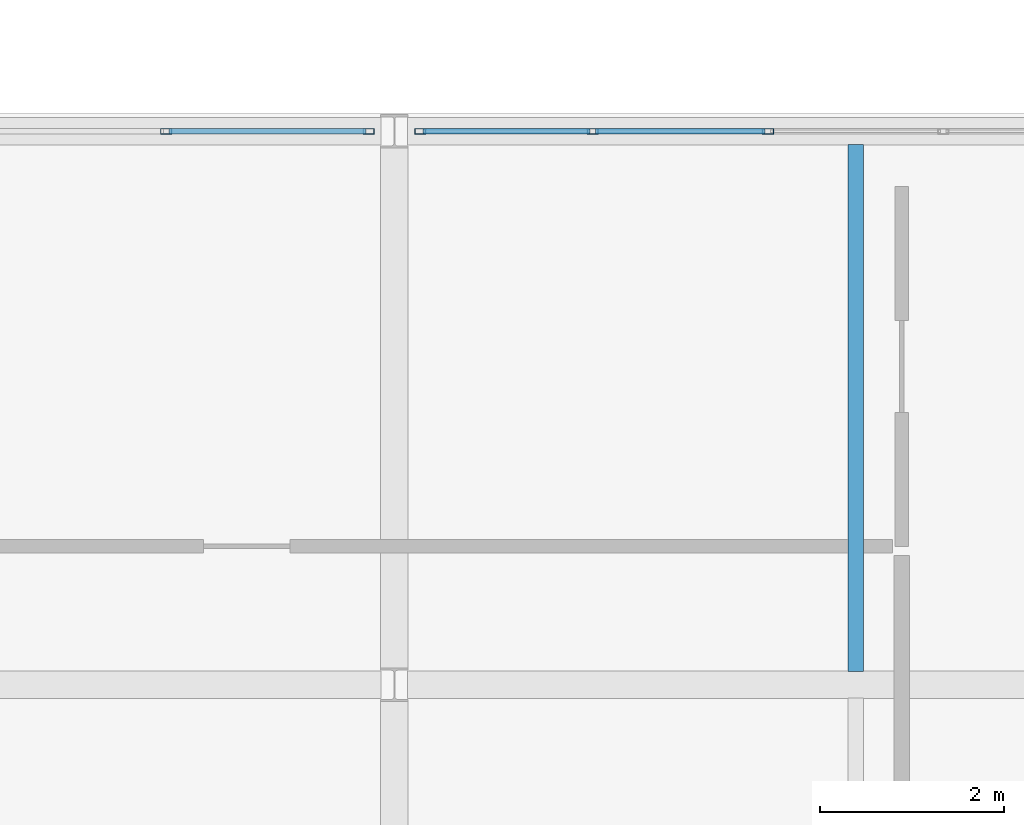
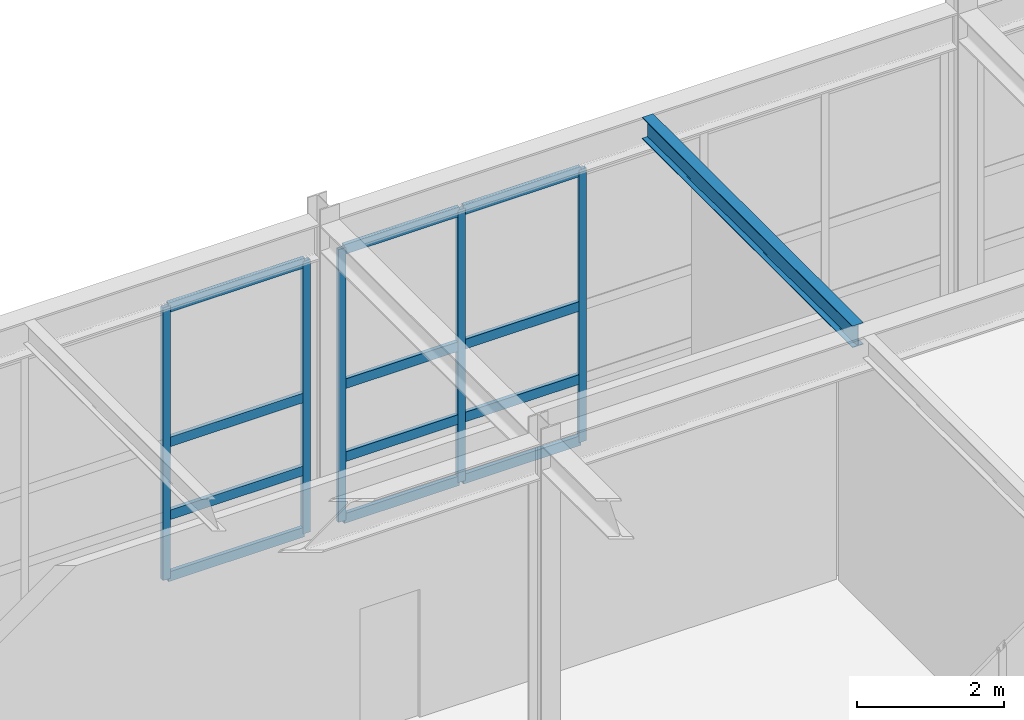
# One storey, part 128 of 210: 17 members, 1 beam, 2 elements without a shape of their own.
"""IFC4 building model written with IfcOpenShell, lengths in metres."""

from ifc_helpers import new_model, si_unit, direction, frame, origin, origin_2d, place, context, subcontext, project, spatial, hollow_rectangle, i_section, extrude, material, material_profile, profile_set, type_object, element, aggregate, save


model = new_model("IFC4")

# Units and contexts
model_context = context("Model", 3, precision=1e-05, world=origin(), true_north=direction((0.0, 1.0)))
body_context = subcontext(model_context, "Body", "Model", "MODEL_VIEW")
ifc_project = project(units=[si_unit("LENGTHUNIT", "METRE"), si_unit("AREAUNIT", "SQUARE_METRE"), si_unit("VOLUMEUNIT", "CUBIC_METRE"), si_unit("PLANEANGLEUNIT", "RADIAN"), si_unit("MASSUNIT", "GRAM", prefix="KILO")], contexts=[model_context])

# Site, building, storey
site_placement = place(None, origin())
site = spatial("IfcSite", under=ifc_project, at=site_placement, CompositionType="ELEMENT")
building_placement = place(site_placement, origin())
building = spatial("IfcBuilding", under=site, at=building_placement, Name="Kaldris Quays Convention Centre", CompositionType="ELEMENT")
storey_placement = place(building_placement, frame((0.0, 0.0, 6.0)))
storey = spatial("IfcBuildingStorey", under=building, at=storey_placement, Name="L01", CompositionType="ELEMENT", Elevation=6.0)

# Curtain wall, members
ifc_material_1 = material(Name="Anodized aluminium AW-6060 and triple glazing", Category="aluminium")
curtain_wall_type = type_object("IfcCurtainWallType", Name="UNITISED CURTAIN WALL CW06", PredefinedType="NOTDEFINED", material=ifc_material_1)
curtain_wall_1_placement = place(storey_placement, origin())
curtain_wall_1 = element("IfcCurtainWall", 1, at=curtain_wall_1_placement, inside=storey, type_object=curtain_wall_type, Name="L01 Unitised Curtain Wall CW06 159", PredefinedType="NOTDEFINED")
ifc_material_2 = material(Name="Anodized aluminium AW-6060", Category="aluminium")
ifc_material_profile_1 = material_profile(ifc_material_2, hollow_rectangle(XDim=0.06005859375, YDim=0.1201171875, WallThickness=0.00390625, at=origin_2d()), Name="RHS 120x60x4")
ifc_profile_set_1 = profile_set([ifc_material_profile_1], Name="Anodized aluminium AW-6060")
member_type_1 = type_object("IfcMemberType", Name="CURTAIN MULLION CWM3", PredefinedType="MULLION", material=ifc_profile_set_1)
member_1_placement = place(storey_placement, frame((171.52490234375, 116.0, 0.0), z_axis=(0.0, 0.0, 1.0), x_axis=(0.0, 1.0, 0.0)))
member_1 = element("IfcMember", 2, at=member_1_placement, type_object=member_type_1, Name="CW06 mullion 4", PredefinedType="MULLION", context=body_context, shape_type="SweptSolid", body=[
    extrude(hollow_rectangle(XDim=0.06005859375, YDim=0.1201171875, WallThickness=0.00390625, at=origin_2d()), origin(), (0.0, 0.0, 1.0), 4.51806640625),
])
member_2_placement = place(storey_placement, frame((173.719970703125, 116.0, 0.0), z_axis=(0.0, 0.0, 1.0), x_axis=(0.0, 1.0, 0.0)))
member_2 = element("IfcMember", 3, at=member_2_placement, type_object=member_type_1, Name="CW06 mullion 5", PredefinedType="MULLION", context=body_context, shape_type="SweptSolid", body=[
    extrude(hollow_rectangle(XDim=0.06005859375, YDim=0.1201171875, WallThickness=0.00390625, at=origin_2d()), origin(), (0.0, 0.0, 1.0), 4.51806640625),
])

curtain_wall_2_placement = place(storey_placement, origin())
curtain_wall_2 = element("IfcCurtainWall", 4, at=curtain_wall_2_placement, inside=storey, type_object=curtain_wall_type, Name="L01 Unitised Curtain Wall CW06 161", PredefinedType="NOTDEFINED")
member_3_placement = place(storey_placement, frame((174.280029296875, 116.0, 0.0), z_axis=(0.0, 0.0, 1.0), x_axis=(0.0, 1.0, 0.0)))
member_3 = element("IfcMember", 5, at=member_3_placement, type_object=member_type_1, Name="CW06 mullion 1", PredefinedType="MULLION", context=body_context, shape_type="SweptSolid", body=[
    extrude(hollow_rectangle(XDim=0.06005859375, YDim=0.1201171875, WallThickness=0.00390625, at=origin_2d()), origin(), (0.0, 0.0, 1.0), 4.51806640625),
])
member_4_placement = place(storey_placement, frame((176.14990234375, 116.0, 0.0), z_axis=(0.0, 0.0, 1.0), x_axis=(0.0, 1.0, 0.0)))
member_4 = element("IfcMember", 6, at=member_4_placement, type_object=member_type_1, Name="CW06 mullion 2", PredefinedType="MULLION", context=body_context, shape_type="SweptSolid", body=[
    extrude(hollow_rectangle(XDim=0.06005859375, YDim=0.1201171875, WallThickness=0.00390625, at=origin_2d()), origin(), (0.0, 0.0, 1.0), 4.51806640625),
])
member_5_placement = place(storey_placement, frame((178.050048828125, 116.0, 0.0), z_axis=(0.0, 0.0, 1.0), x_axis=(0.0, 1.0, 0.0)))
member_5 = element("IfcMember", 7, at=member_5_placement, type_object=member_type_1, Name="CW06 mullion 3", PredefinedType="MULLION", context=body_context, shape_type="SweptSolid", body=[
    extrude(hollow_rectangle(XDim=0.06005859375, YDim=0.1201171875, WallThickness=0.00390625, at=origin_2d()), origin(), (0.0, 0.0, 1.0), 4.51806640625),
])

# Member
ifc_material_profile_2 = material_profile(ifc_material_2, hollow_rectangle(XDim=0.06005859375, YDim=0.159912109375, WallThickness=0.00390625, at=origin_2d()), Name="RHS 160x60x4")
ifc_profile_set_2 = profile_set([ifc_material_profile_2], Name="Anodized aluminium AW-6060")
member_type_2 = type_object("IfcMemberType", Name="CURTAIN TRANSOM CWT2", PredefinedType="USERDEFINED", material=ifc_profile_set_2)
member_6_placement = place(storey_placement, frame((171.554931640625, 116.0, 0.030029296875), z_axis=(1.0, 0.0, 0.0), x_axis=(0.0, 1.0, 0.0)))
member_6 = element("IfcMember", 8, at=member_6_placement, type_object=member_type_2, Name="CW06 transom 4.1", ObjectType="TRANSOM", PredefinedType="USERDEFINED", context=body_context, shape_type="SweptSolid", body=[
    extrude(hollow_rectangle(XDim=0.06005859375, YDim=0.159912109375, WallThickness=0.00390625, at=origin_2d()), origin(), (0.0, 0.0, 1.0), 2.135009765625),
])

member_7_placement = place(storey_placement, frame((171.554931640625, 116.0, 1.050048828125), z_axis=(1.0, 0.0, 0.0), x_axis=(0.0, 1.0, 0.0)))
member_7 = element("IfcMember", 9, at=member_7_placement, type_object=member_type_2, Name="CW06 transom 4.2", ObjectType="TRANSOM", PredefinedType="USERDEFINED", context=body_context, shape_type="SweptSolid", body=[
    extrude(hollow_rectangle(XDim=0.06005859375, YDim=0.159912109375, WallThickness=0.00390625, at=origin_2d()), origin(), (0.0, 0.0, 1.0), 2.135009765625),
])

member_8_placement = place(storey_placement, frame((171.554931640625, 116.0, 2.259033203125), z_axis=(1.0, 0.0, 0.0), x_axis=(0.0, 1.0, 0.0)))
member_8 = element("IfcMember", 10, at=member_8_placement, type_object=member_type_2, Name="CW06 transom 4.3", ObjectType="TRANSOM", PredefinedType="USERDEFINED", context=body_context, shape_type="SweptSolid", body=[
    extrude(hollow_rectangle(XDim=0.06005859375, YDim=0.159912109375, WallThickness=0.00390625, at=origin_2d()), origin(), (0.0, 0.0, 1.0), 2.135009765625),
])

member_9_placement = place(storey_placement, frame((171.554931640625, 116.0, 4.488037109375), z_axis=(1.0, 0.0, 0.0), x_axis=(0.0, 1.0, 0.0)))
member_9 = element("IfcMember", 11, at=member_9_placement, type_object=member_type_2, Name="CW06 transom 4.4", ObjectType="TRANSOM", PredefinedType="USERDEFINED", context=body_context, shape_type="SweptSolid", body=[
    extrude(hollow_rectangle(XDim=0.06005859375, YDim=0.159912109375, WallThickness=0.00390625, at=origin_2d()), origin(), (0.0, 0.0, 1.0), 2.135009765625),
])

aggregate(curtain_wall_1, [member_1, member_2, member_6, member_7, member_8, member_9])

member_10_placement = place(storey_placement, frame((174.31005859375, 116.0, 0.030029296875), z_axis=(1.0, 0.0, 0.0), x_axis=(0.0, 1.0, 0.0)))
member_10 = element("IfcMember", 12, at=member_10_placement, type_object=member_type_2, Name="CW06 transom 1.1", ObjectType="TRANSOM", PredefinedType="USERDEFINED", context=body_context, shape_type="SweptSolid", body=[
    extrude(hollow_rectangle(XDim=0.06005859375, YDim=0.159912109375, WallThickness=0.00390625, at=origin_2d()), origin(), (0.0, 0.0, 1.0), 1.81005859375),
])

member_11_placement = place(storey_placement, frame((174.31005859375, 116.0, 1.050048828125), z_axis=(1.0, 0.0, 0.0), x_axis=(0.0, 1.0, 0.0)))
member_11 = element("IfcMember", 13, at=member_11_placement, type_object=member_type_2, Name="CW06 transom 1.2", ObjectType="TRANSOM", PredefinedType="USERDEFINED", context=body_context, shape_type="SweptSolid", body=[
    extrude(hollow_rectangle(XDim=0.06005859375, YDim=0.159912109375, WallThickness=0.00390625, at=origin_2d()), origin(), (0.0, 0.0, 1.0), 1.81005859375),
])

member_12_placement = place(storey_placement, frame((174.31005859375, 116.0, 2.259033203125), z_axis=(1.0, 0.0, 0.0), x_axis=(0.0, 1.0, 0.0)))
member_12 = element("IfcMember", 14, at=member_12_placement, type_object=member_type_2, Name="CW06 transom 1.3", ObjectType="TRANSOM", PredefinedType="USERDEFINED", context=body_context, shape_type="SweptSolid", body=[
    extrude(hollow_rectangle(XDim=0.06005859375, YDim=0.159912109375, WallThickness=0.00390625, at=origin_2d()), origin(), (0.0, 0.0, 1.0), 1.81005859375),
])

member_13_placement = place(storey_placement, frame((174.31005859375, 116.0, 4.488037109375), z_axis=(1.0, 0.0, 0.0), x_axis=(0.0, 1.0, 0.0)))
member_13 = element("IfcMember", 15, at=member_13_placement, type_object=member_type_2, Name="CW06 transom 1.4", ObjectType="TRANSOM", PredefinedType="USERDEFINED", context=body_context, shape_type="SweptSolid", body=[
    extrude(hollow_rectangle(XDim=0.06005859375, YDim=0.159912109375, WallThickness=0.00390625, at=origin_2d()), origin(), (0.0, 0.0, 1.0), 1.81005859375),
])

member_14_placement = place(storey_placement, frame((176.179931640625, 116.0, 0.030029296875), z_axis=(1.0, 0.0, 0.0), x_axis=(0.0, 1.0, 0.0)))
member_14 = element("IfcMember", 16, at=member_14_placement, type_object=member_type_2, Name="CW06 transom 2.1", ObjectType="TRANSOM", PredefinedType="USERDEFINED", context=body_context, shape_type="SweptSolid", body=[
    extrude(hollow_rectangle(XDim=0.06005859375, YDim=0.159912109375, WallThickness=0.00390625, at=origin_2d()), origin(), (0.0, 0.0, 1.0), 1.840087890625),
])

member_15_placement = place(storey_placement, frame((176.179931640625, 116.0, 1.050048828125), z_axis=(1.0, 0.0, 0.0), x_axis=(0.0, 1.0, 0.0)))
member_15 = element("IfcMember", 17, at=member_15_placement, type_object=member_type_2, Name="CW06 transom 2.2", ObjectType="TRANSOM", PredefinedType="USERDEFINED", context=body_context, shape_type="SweptSolid", body=[
    extrude(hollow_rectangle(XDim=0.06005859375, YDim=0.159912109375, WallThickness=0.00390625, at=origin_2d()), origin(), (0.0, 0.0, 1.0), 1.840087890625),
])

member_16_placement = place(storey_placement, frame((176.179931640625, 116.0, 2.259033203125), z_axis=(1.0, 0.0, 0.0), x_axis=(0.0, 1.0, 0.0)))
member_16 = element("IfcMember", 18, at=member_16_placement, type_object=member_type_2, Name="CW06 transom 2.3", ObjectType="TRANSOM", PredefinedType="USERDEFINED", context=body_context, shape_type="SweptSolid", body=[
    extrude(hollow_rectangle(XDim=0.06005859375, YDim=0.159912109375, WallThickness=0.00390625, at=origin_2d()), origin(), (0.0, 0.0, 1.0), 1.840087890625),
])

member_17_placement = place(storey_placement, frame((176.179931640625, 116.0, 4.488037109375), z_axis=(1.0, 0.0, 0.0), x_axis=(0.0, 1.0, 0.0)))
member_17 = element("IfcMember", 19, at=member_17_placement, type_object=member_type_2, Name="CW06 transom 2.4", ObjectType="TRANSOM", PredefinedType="USERDEFINED", context=body_context, shape_type="SweptSolid", body=[
    extrude(hollow_rectangle(XDim=0.06005859375, YDim=0.159912109375, WallThickness=0.00390625, at=origin_2d()), origin(), (0.0, 0.0, 1.0), 1.840087890625),
])

aggregate(curtain_wall_2, [member_3, member_4, member_5, member_10, member_11, member_12, member_13, member_14, member_15, member_16, member_17])

# Beam
ifc_material_3 = material(Name="Steel S355J2", Category="steel")
ifc_material_profile_3 = material_profile(ifc_material_3, i_section(OverallWidth=0.169921875, OverallDepth=0.360107421875, WebThickness=0.008056640625, FlangeThickness=0.0126953125, FilletRadius=0.01806640625, at=origin_2d()), Name="IPE 360")
ifc_profile_set_3 = profile_set([ifc_material_profile_3], Name="Steel S355J2")
beam_type = type_object("IfcBeamType", Name="STRUCTURAL BEAM JT03", PredefinedType="JOIST", material=ifc_profile_set_3)
beam_placement = place(storey_placement, frame((179.0, 110.14404296875, 4.962890625), z_axis=(0.0, 1.0, 0.0), x_axis=(-1.0, 0.0, 0.0)))
element("IfcBeam", 20, at=beam_placement, inside=storey, type_object=beam_type, Name="L01 Secondary Joist JT03 34", PredefinedType="JOIST", context=body_context, shape_type="SweptSolid", body=[
    extrude(i_section(OverallWidth=0.169921875, OverallDepth=0.360107421875, WebThickness=0.008056640625, FlangeThickness=0.0126953125, FilletRadius=0.01806640625, at=origin_2d()), origin(), (0.0, 0.0, 1.0), 5.7119140625),
])

save(model, "model.ifc")
